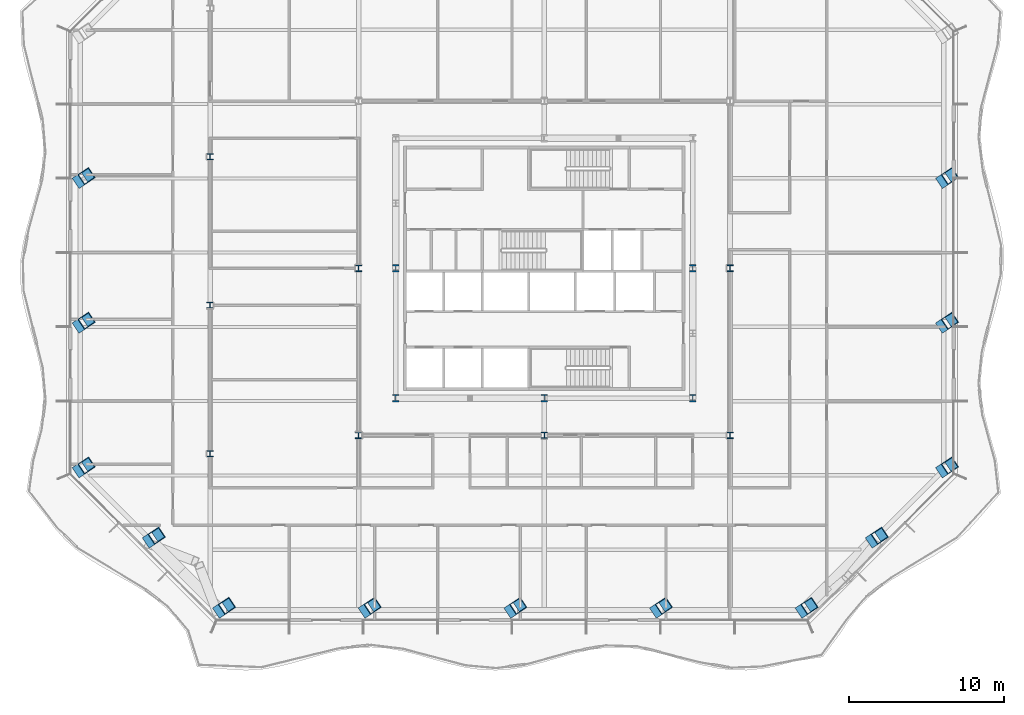
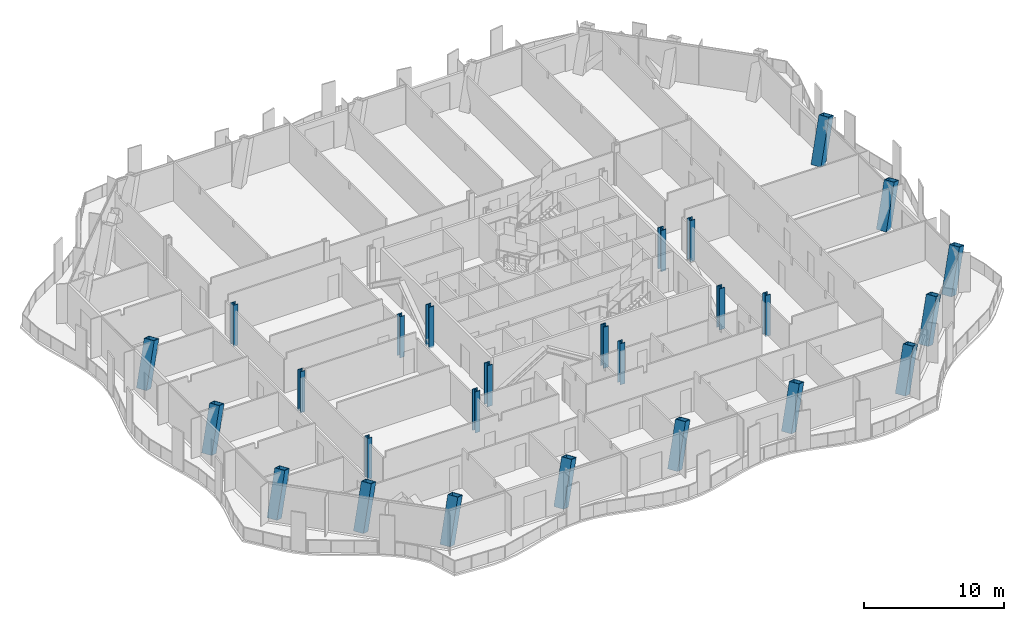
# One storey, part 1 of 22: 26 columns.
"""IFC4 building model written with IfcOpenShell, lengths in metres."""

from ifc_helpers import new_model, si_unit, direction, frame, origin, origin_2d, place, context, subcontext, project, spatial, hollow_rectangle, i_section, extrude, clip, halfspace, material, material_profile, profile_set, type_object, element, save


model = new_model("IFC4")

# Units and contexts
model_context = context("Model", 3, precision=1e-05, world=origin(), true_north=direction((0.0, 1.0)))
body_context = subcontext(model_context, "Body", "Model", "MODEL_VIEW")
ifc_project = project(units=[si_unit("LENGTHUNIT", "METRE"), si_unit("AREAUNIT", "SQUARE_METRE"), si_unit("VOLUMEUNIT", "CUBIC_METRE"), si_unit("PLANEANGLEUNIT", "RADIAN"), si_unit("MASSUNIT", "GRAM", prefix="KILO")], contexts=[model_context])

# Site, building, storey
site_placement = place(None, origin())
site = spatial("IfcSite", under=ifc_project, at=site_placement, CompositionType="ELEMENT")
building_placement = place(site_placement, origin())
building = spatial("IfcBuilding", under=site, at=building_placement, Name="Cairn Pilgrim Tower", CompositionType="ELEMENT")
storey_placement = place(building_placement, frame((0.0, 0.0, 105.0)))
storey = spatial("IfcBuildingStorey", under=building, at=storey_placement, Name="L25", CompositionType="ELEMENT", Elevation=105.0)

# Columns
ifc_material_1 = material(Name="Structural steel S460M", Category="steel")
ifc_material_profile_1 = material_profile(ifc_material_1, hollow_rectangle(XDim=0.800048828125, YDim=0.800048828125, WallThickness=0.050048828125, at=origin_2d()), Name="BOX 800x800x50")
ifc_profile_set_1 = profile_set([ifc_material_profile_1], Name="Structural steel S460M")
column_type_1 = type_object("IfcColumnType", Name="BOX 800x800x50", PredefinedType="COLUMN", material=ifc_profile_set_1)
for number, where, z_axis, x_axis, name in (
    (1, (-13.71435546875, -19.69140625, -0.14990234375), (0.281965529218, 0.187913211937, 0.940842210529), (-0.55456982169, 0.832137195942, 0.0), "PC1-S1"),
    (2, (-4.30078125, -19.69140625, -0.14990234375), (0.281965529218, 0.187913211937, 0.940842210529), (-0.55456982169, 0.832137195942, 0.0), "PC1-S2"),
    (3, (5.11279296875, -19.69140625, -0.14990234375), (0.281965529218, 0.187913211937, 0.940842210529), (-0.55456982169, 0.832137195942, 0.0), "PC1-S3"),
    (4, (14.526611328125, -19.69140625, -0.14990234375), (0.281906793082, 0.187916592491, 0.940859136258), (-0.554656732749, 0.832079268349, 0.0), "PC1-S4"),
    (5, (23.940185546875, -19.69140625, -0.14990234375), (0.281906793082, 0.187916592491, 0.940859136258), (-0.554656732749, 0.832079268349, 0.0), "PC1-SE1"),
    (6, (28.4765625, -15.155029296875, -0.14990234375), (0.281903412306, 0.18797814682, 0.940847852975), (-0.554787109556, 0.83199234556, 0.0), "PC1-SE2"),
    (7, (33.012939453125, -10.61865234375, -0.14990234375), (0.281903412306, 0.18797814682, 0.940847852975), (-0.554787109556, 0.83199234556, 0.0), "PC1-E1"),
    (8, (33.012939453125, -1.26708984375, -0.14990234375), (0.281906793082, 0.187916592491, 0.940859136258), (-0.554656732749, 0.832079268349, 0.0), "PC1-E2"),
    (9, (33.012939453125, 8.08447265625, -0.14990234375), (0.281906793082, 0.187916592491, 0.940859136258), (-0.554656732749, 0.832079268349, 0.0), "PC1-E3"),
    (10, (-22.787109375, 8.08447265625, -0.14990234375), (0.281906793082, 0.187916592491, 0.940859136258), (-0.554656732749, 0.832079268349, 0.0), "PC1-W2"),
    (11, (-22.787109375, -1.26708984375, -0.14990234375), (0.281906793082, 0.187916592491, 0.940859136258), (-0.554656732749, 0.832079268349, 0.0), "PC1-W3"),
    (12, (-22.787109375, -10.61865234375, -0.14990234375), (0.281903412306, 0.18797814682, 0.940847852975), (-0.554787109556, 0.83199234556, 0.0), "PC1-SW1"),
    (13, (-18.250732421875, -15.155029296875, -0.14990234375), (0.281903412306, 0.18797814682, 0.940847852975), (-0.554787109556, 0.83199234556, 0.0), "PC1-SW2"),
):
    element("IfcColumn", number, at=place(storey_placement, frame(where, z_axis=z_axis, x_axis=x_axis)), inside=storey, type_object=column_type_1, Name=name, PredefinedType="COLUMN", context=body_context, shape_type="Clipping", body=[
        clip(clip(extrude(hollow_rectangle(XDim=0.800048828125, YDim=0.800048828125, WallThickness=0.050048828125, at=origin_2d()), origin(), (0.0, 0.0, 1.0), 3.826171875), halfspace(frame((0.0, 0.0, 0.0244140625), z_axis=(0.0, 0.0, 1.0), x_axis=(1.0, 0.0, 0.0)), True)), halfspace(frame((0.0, 0.0, 3.80224609375), z_axis=(0.0, 0.0, 1.0), x_axis=(1.0, 0.0, 0.0)), False)),
    ])
ifc_material_2 = material(Name="Structural steel S355J2", Category="steel")
ifc_material_profile_2 = material_profile(ifc_material_2, i_section(OverallWidth=0.39892578125, OverallDepth=0.39306640625, WebThickness=0.022705078125, FlangeThickness=0.03662109375, FilletRadius=0.014892578125, at=origin_2d()), Name="HD 400x287")
ifc_profile_set_2 = profile_set([ifc_material_profile_2], Name="Structural steel S355J2")
column_type_2 = type_object("IfcColumnType", Name="HD 400x287", PredefinedType="COLUMN", material=ifc_profile_set_2)
for number, where, z_axis, x_axis, name in (
    (14, (-14.39990234375, -9.60009765625, -0.14990234375), (0.0, 0.0, 1.0), (1.0, 0.0, 0.0), "WC-WW-2"),
    (15, (-14.39990234375, 0.0, -0.14990234375), (0.0, 0.0, 1.0), (1.0, 0.0, 0.0), "WC-WW+0"),
    (16, (-14.39990234375, 9.60009765625, -0.14990234375), (0.0, 0.0, 1.0), (1.0, 0.0, 0.0), "WC-WW+2"),
):
    element("IfcColumn", number, at=place(storey_placement, frame(where, z_axis=z_axis, x_axis=x_axis)), inside=storey, type_object=column_type_2, Name=name, PredefinedType="COLUMN", context=body_context, shape_type="SweptSolid", body=[
        extrude(i_section(OverallWidth=0.39892578125, OverallDepth=0.39306640625, WebThickness=0.022705078125, FlangeThickness=0.03662109375, FilletRadius=0.014892578125, at=origin_2d()), origin(), (0.0, 0.0, 1.0), 3.599853515625),
    ])
ifc_material_profile_3 = material_profile(ifc_material_1, i_section(OverallWidth=0.408935546875, OverallDepth=0.425048828125, WebThickness=0.03271484375, FlangeThickness=0.052490234375, FilletRadius=0.014892578125, at=origin_2d()), Name="HD 400x421")
ifc_profile_set_3 = profile_set([ifc_material_profile_3], Name="Structural steel S460M")
column_type_3 = type_object("IfcColumnType", Name="HD 400x421", PredefinedType="COLUMN", material=ifc_profile_set_3)
for number, where, z_axis, x_axis, name in (
    (17, (-4.800048828125, -8.39990234375, -0.14990234375), (0.0, 0.0, 1.0), (1.0, 0.0, 0.0), "IC-1"),
    (18, (7.199951171875, -8.39990234375, -0.14990234375), (0.0, 0.0, 1.0), (1.0, 0.0, 0.0), "IC-2"),
    (19, (19.199951171875, -8.39990234375, -0.14990234375), (0.0, 0.0, 1.0), (1.0, 0.0, 0.0), "IC-3"),
    (20, (-4.800048828125, 2.39990234375, -0.14990234375), (0.0, 0.0, 1.0), (1.0, 0.0, 0.0), "IC-4"),
    (21, (19.199951171875, 2.39990234375, -0.14990234375), (0.0, 0.0, 1.0), (1.0, 0.0, 0.0), "IC-5"),
):
    element("IfcColumn", number, at=place(storey_placement, frame(where, z_axis=z_axis, x_axis=x_axis)), inside=storey, type_object=column_type_3, Name=name, PredefinedType="COLUMN", context=body_context, shape_type="SweptSolid", body=[
        extrude(i_section(OverallWidth=0.408935546875, OverallDepth=0.425048828125, WebThickness=0.03271484375, FlangeThickness=0.052490234375, FilletRadius=0.014892578125, at=origin_2d()), origin(), (0.0, 0.0, 1.0), 3.599853515625),
    ])
ifc_material_profile_4 = material_profile(ifc_material_1, i_section(OverallWidth=0.424072265625, OverallDepth=0.47412109375, WebThickness=0.047607421875, FlangeThickness=0.0771484375, FilletRadius=0.014892578125, at=origin_2d()), Name="HD 400x634")
ifc_profile_set_4 = profile_set([ifc_material_profile_4], Name="Structural steel S460M")
column_type_4 = type_object("IfcColumnType", Name="HD 400x634", PredefinedType="COLUMN", material=ifc_profile_set_4)
for number, where, z_axis, x_axis, name in (
    (22, (-2.39990234375, -6.0, -0.14990234375), (0.0, 0.0, 1.0), (1.0, 0.0, 0.0), "KC-1"),
    (23, (7.199951171875, -6.0, -0.14990234375), (0.0, 0.0, 1.0), (1.0, 0.0, 0.0), "KC-2"),
    (24, (16.800048828125, -6.0, -0.14990234375), (0.0, 0.0, 1.0), (1.0, 0.0, 0.0), "KC-3"),
    (25, (-2.39990234375, 2.39990234375, -0.14990234375), (0.0, 0.0, 1.0), (1.0, 0.0, 0.0), "KC-4"),
    (26, (16.800048828125, 2.39990234375, -0.14990234375), (0.0, 0.0, 1.0), (1.0, 0.0, 0.0), "KC-5"),
):
    element("IfcColumn", number, at=place(storey_placement, frame(where, z_axis=z_axis, x_axis=x_axis)), inside=storey, type_object=column_type_4, Name=name, PredefinedType="COLUMN", context=body_context, shape_type="SweptSolid", body=[
        extrude(i_section(OverallWidth=0.424072265625, OverallDepth=0.47412109375, WebThickness=0.047607421875, FlangeThickness=0.0771484375, FilletRadius=0.014892578125, at=origin_2d()), origin(), (0.0, 0.0, 1.0), 3.599853515625),
    ])

save(model, "model.ifc")
